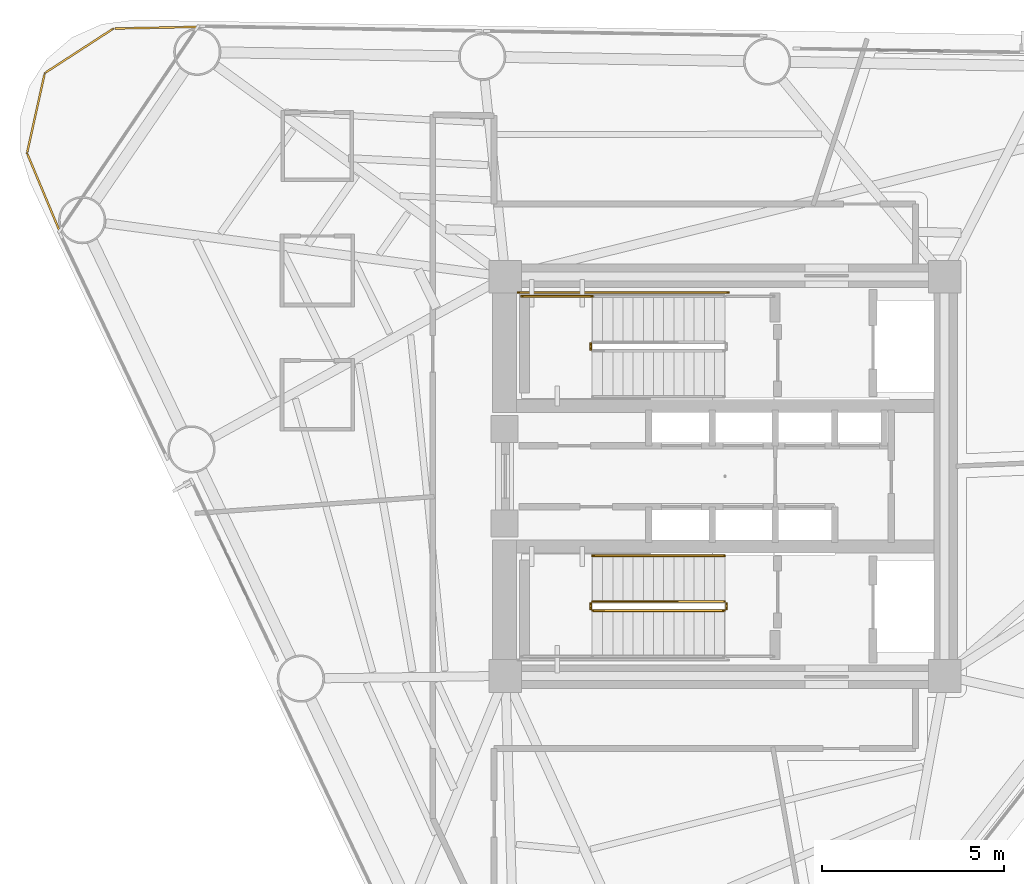
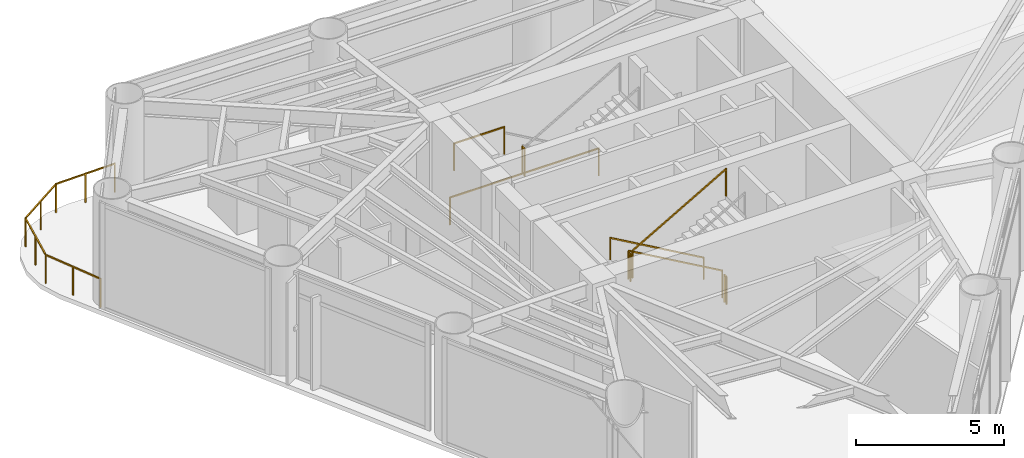
# One storey, part 9 of 11: 9 railings.
"""IFC4 building model written with IfcOpenShell, lengths in metres."""

from ifc_helpers import new_model, si_unit, direction, frame, origin, origin_2d, place, context, subcontext, project, spatial, rectangle, extrude, material, type_object, element, save


model = new_model("IFC4")

# Units and contexts
model_context = context("Model", 3, precision=1e-05, world=origin(), true_north=direction((0.0, 1.0)))
body_context = subcontext(model_context, "Body", "Model", "MODEL_VIEW")
ifc_project = project(units=[si_unit("LENGTHUNIT", "METRE"), si_unit("AREAUNIT", "SQUARE_METRE"), si_unit("VOLUMEUNIT", "CUBIC_METRE"), si_unit("PLANEANGLEUNIT", "RADIAN"), si_unit("MASSUNIT", "GRAM", prefix="KILO")], contexts=[model_context])

# Site, building, storey
site_placement = place(None, origin())
site = spatial("IfcSite", under=ifc_project, at=site_placement, CompositionType="ELEMENT")
building_placement = place(site_placement, origin())
building = spatial("IfcBuilding", under=site, at=building_placement, Name="Yunling Apex Tower", CompositionType="ELEMENT")
storey_placement = place(building_placement, frame((0.0, 0.0, 125.0)))
storey = spatial("IfcBuildingStorey", under=building, at=storey_placement, Name="L30", CompositionType="ELEMENT", Elevation=125.0)

# Railings
ifc_material_1 = material(Name="Bronze anodised aluminium", Category="aluminium")
railing_type_1 = type_object("IfcRailingType", Name="RL-BAL-1200", PredefinedType="BALUSTRADE", material=ifc_material_1)
railing_1_placement = place(storey_placement, frame((-18.331298828125, 6.7578125, 0.0)))
element("IfcRailing", 1, at=railing_1_placement, inside=storey, type_object=railing_type_1, Name="RL-CRNSILL-L30-2", PredefinedType="BALUSTRADE", context=body_context, shape_type="SweptSolid", body=[
    extrude(rectangle(XDim=0.0439453125, YDim=0.0439453125, at=origin_2d()), origin(), (0.0, 0.0, 1.0), 1.199951171875),
    extrude(rectangle(XDim=0.0439453125, YDim=0.0439453125, at=origin_2d()), frame((-0.896240234375, 2.142578125, 0.0)), (0.0, 0.0, 1.0), 1.199951171875),
    extrude(rectangle(XDim=0.050048828125, YDim=0.050048828125, at=origin_2d()), frame((-0.014892578125, 0.035400390625, 1.1748046875), z_axis=(-0.385898856138, 0.92254109547, 0.0), x_axis=(-0.92254109547, -0.385898856138, 0.0)), (0.0, 0.0, 1.0), 2.245849609375),
    extrude(rectangle(XDim=0.0439453125, YDim=0.0439453125, at=origin_2d()), frame((-0.4482421875, 1.0712890625, 0.0)), (0.0, 0.0, 1.0), 1.14599609375),
    extrude(rectangle(XDim=0.0439453125, YDim=0.0439453125, at=origin_2d()), frame((-0.407958984375, 4.349609375, 0.0)), (0.0, 0.0, 1.0), 1.199951171875),
    extrude(rectangle(XDim=0.050048828125, YDim=0.050048828125, at=origin_2d()), frame((-0.887939453125, 2.179931640625, 1.1748046875), z_axis=(0.216015473483, 0.976389940145, 0.0), x_axis=(-0.976389940145, 0.216015473483, 0.0)), (0.0, 0.0, 1.0), 2.183837890625),
    extrude(rectangle(XDim=0.0439453125, YDim=0.0439453125, at=origin_2d()), frame((-0.652099609375, 3.24609375, 0.0)), (0.0, 0.0, 1.0), 1.14599609375),
    extrude(rectangle(XDim=0.0439453125, YDim=0.0439453125, at=origin_2d()), frame((1.482666015625, 5.574951171875, 0.0)), (0.0, 0.0, 1.0), 1.199951171875),
    extrude(rectangle(XDim=0.050048828125, YDim=0.050048828125, at=origin_2d()), frame((-0.375732421875, 4.370361328125, 1.1748046875), z_axis=(0.83916580884, 0.543875670786, 0.0), x_axis=(-0.543875670786, 0.83916580884, 0.0)), (0.0, 0.0, 1.0), 2.17626953125),
    extrude(rectangle(XDim=0.0439453125, YDim=0.0439453125, at=origin_2d()), frame((0.537353515625, 4.96240234375, 0.0)), (0.0, 0.0, 1.0), 1.14599609375),
    extrude(rectangle(XDim=0.0439453125, YDim=0.0439453125, at=origin_2d()), frame((3.805419921875, 5.6220703125, 0.0)), (0.0, 0.0, 1.0), 1.199951171875),
    extrude(rectangle(XDim=0.050048828125, YDim=0.050048828125, at=origin_2d()), frame((1.52099609375, 5.57568359375, 1.1748046875), z_axis=(0.999794304726, 0.020281721759, 0.0), x_axis=(-0.020281721759, 0.999794304726, 0.0)), (0.0, 0.0, 1.0), 2.24658203125),
    extrude(rectangle(XDim=0.0439453125, YDim=0.0439453125, at=origin_2d()), frame((2.64404296875, 5.5986328125, 0.0)), (0.0, 0.0, 1.0), 1.14599609375),
])
ifc_material_2 = material(Name="Steel Q355B", Category="steel")
railing_type_2 = type_object("IfcRailingType", Name="RL-GRD-1150", PredefinedType="GUARDRAIL", material=ifc_material_2)
railing_2_placement = place(storey_placement, frame((-3.699951171875, 3.64990234375, 2.25)))
element("IfcRailing", 2, at=railing_2_placement, inside=storey, type_object=railing_type_2, Name="L30 ST-1 stair guard 2", PredefinedType="GUARDRAIL", context=body_context, shape_type="SweptSolid", body=[
    extrude(rectangle(XDim=0.0439453125, YDim=0.0439453125, at=origin_2d()), origin(), (0.0, 0.0, 1.0), 1.14990234375),
    extrude(rectangle(XDim=0.0439453125, YDim=0.0439453125, at=origin_2d()), frame((0.0, -0.14990234375, 0.0)), (0.0, 0.0, 1.0), 1.14990234375),
    extrude(rectangle(XDim=0.050048828125, YDim=0.050048828125, at=origin_2d()), frame((0.0, -0.038330078125, 1.125), z_axis=(0.0, -1.0, 0.0), x_axis=(1.0, 0.0, 0.0)), (0.0, 0.0, 1.0), 0.0732421875),
])
railing_3_placement = place(storey_placement, frame((-3.64990234375, 4.9599609375, 2.25)))
element("IfcRailing", 3, at=railing_3_placement, inside=storey, type_object=railing_type_2, Name="L30 ST-1 stair guard 3", PredefinedType="GUARDRAIL", context=body_context, shape_type="SweptSolid", body=[
    extrude(rectangle(XDim=0.0439453125, YDim=0.0439453125, at=origin_2d()), origin(), (0.0, 0.0, 1.0), 1.14990234375),
    extrude(rectangle(XDim=0.0439453125, YDim=0.0439453125, at=origin_2d()), frame((-1.9501953125, 0.0, 0.0)), (0.0, 0.0, 1.0), 1.14990234375),
    extrude(rectangle(XDim=0.050048828125, YDim=0.050048828125, at=origin_2d()), frame((-0.038330078125, 0.0, 1.125), z_axis=(-1.0, 0.0, 0.0), x_axis=(0.0, -1.0, 0.0)), (0.0, 0.0, 1.0), 1.87353515625),
])
railing_4_placement = place(storey_placement, frame((0.090087890625, 5.06005859375, 0.0)))
element("IfcRailing", 4, at=railing_4_placement, inside=storey, type_object=railing_type_2, Name="L30 ST-1 stair guard 7", PredefinedType="GUARDRAIL", context=body_context, shape_type="SweptSolid", body=[
    extrude(rectangle(XDim=0.0439453125, YDim=0.0439453125, at=origin_2d()), origin(), (0.0, 0.0, 1.0), 1.14990234375),
    extrude(rectangle(XDim=0.0439453125, YDim=0.0439453125, at=origin_2d()), frame((-5.7900390625, 0.0, 0.0)), (0.0, 0.0, 1.0), 1.14990234375),
    extrude(rectangle(XDim=0.050048828125, YDim=0.050048828125, at=origin_2d()), frame((-0.038330078125, 0.0, 1.125), z_axis=(-1.0, 0.0, 0.0), x_axis=(0.0, -1.0, 0.0)), (0.0, 0.0, 1.0), 5.71337890625),
])
railing_5_placement = place(storey_placement, frame((-0.010009765625, -3.449951171875, 0.16064453125)))
element("IfcRailing", 5, at=railing_5_placement, inside=storey, type_object=railing_type_2, Name="L30 ST-2 stair guard 1", PredefinedType="GUARDRAIL", context=body_context, shape_type="SweptSolid", body=[
    extrude(rectangle(XDim=0.0439453125, YDim=0.0439453125, at=origin_2d()), origin(), (0.0, 0.0, 1.0), 1.14990234375),
    extrude(rectangle(XDim=0.0439453125, YDim=0.0439453125, at=origin_2d()), frame((-3.639892578125, 0.0, 2.08935546875)), (0.0, 0.0, 1.0), 1.14990234375),
    extrude(rectangle(XDim=0.050048828125, YDim=0.050048828125, at=origin_2d()), frame((-0.033203125, 0.0, 1.14404296875), z_axis=(-0.8672749571, 0.0, 0.497829437445), x_axis=(0.0, -1.0, 0.0)), (0.0, 0.0, 1.0), 4.120361328125),
])
railing_6_placement = place(storey_placement, frame((-3.699951171875, -3.5, 2.25)))
element("IfcRailing", 6, at=railing_6_placement, inside=storey, type_object=railing_type_2, Name="L30 ST-2 stair guard 2", PredefinedType="GUARDRAIL", context=body_context, shape_type="SweptSolid", body=[
    extrude(rectangle(XDim=0.0439453125, YDim=0.0439453125, at=origin_2d()), origin(), (0.0, 0.0, 1.0), 1.14990234375),
    extrude(rectangle(XDim=0.0439453125, YDim=0.0439453125, at=origin_2d()), frame((0.0, -0.14990234375, 0.0)), (0.0, 0.0, 1.0), 1.14990234375),
    extrude(rectangle(XDim=0.050048828125, YDim=0.050048828125, at=origin_2d()), frame((0.0, -0.038330078125, 1.125), z_axis=(0.0, -1.0, 0.0), x_axis=(1.0, 0.0, 0.0)), (0.0, 0.0, 1.0), 0.0732421875),
])
railing_7_placement = place(storey_placement, frame((-3.64990234375, -3.699951171875, 2.41064453125)))
element("IfcRailing", 7, at=railing_7_placement, inside=storey, type_object=railing_type_2, Name="L30 ST-2 stair guard 4", PredefinedType="GUARDRAIL", context=body_context, shape_type="SweptSolid", body=[
    extrude(rectangle(XDim=0.0439453125, YDim=0.0439453125, at=origin_2d()), origin(), (0.0, 0.0, 1.0), 1.14990234375),
    extrude(rectangle(XDim=0.0439453125, YDim=0.0439453125, at=origin_2d()), frame((3.639892578125, 0.0, 2.08935546875)), (0.0, 0.0, 1.0), 1.14990234375),
    extrude(rectangle(XDim=0.050048828125, YDim=0.050048828125, at=origin_2d()), frame((0.033203125, 0.0, 1.14404296875), z_axis=(0.8672749571, 0.0, 0.497829437445), x_axis=(0.0, 1.0, 0.0)), (0.0, 0.0, 1.0), 4.120361328125),
])
railing_8_placement = place(storey_placement, frame((0.0400390625, -3.5, 0.0)))
element("IfcRailing", 8, at=railing_8_placement, inside=storey, type_object=railing_type_2, Name="L30 ST-2 stair guard 5", PredefinedType="GUARDRAIL", context=body_context, shape_type="SweptSolid", body=[
    extrude(rectangle(XDim=0.0439453125, YDim=0.0439453125, at=origin_2d()), origin(), (0.0, 0.0, 1.0), 1.14990234375),
    extrude(rectangle(XDim=0.0439453125, YDim=0.0439453125, at=origin_2d()), frame((0.0, -0.14990234375, 0.0)), (0.0, 0.0, 1.0), 1.14990234375),
    extrude(rectangle(XDim=0.050048828125, YDim=0.050048828125, at=origin_2d()), frame((0.0, -0.038330078125, 1.125), z_axis=(0.0, -1.0, 0.0), x_axis=(1.0, 0.0, 0.0)), (0.0, 0.0, 1.0), 0.0732421875),
])
ifc_material_3 = material(Name="Silver anodised aluminium", Category="aluminium")
railing_type_3 = type_object("IfcRailingType", Name="RL-HND-900", PredefinedType="HANDRAIL", material=ifc_material_3)
railing_9_placement = place(storey_placement, frame((-0.010009765625, -2.18994140625, 0.16064453125)))
element("IfcRailing", 9, at=railing_9_placement, inside=storey, type_object=railing_type_3, Name="L30 ST-2 stair handrail 1", PredefinedType="HANDRAIL", context=body_context, shape_type="SweptSolid", body=[
    extrude(rectangle(XDim=0.0439453125, YDim=0.0439453125, at=origin_2d()), origin(), (0.0, 0.0, 1.0), 0.919921875),
    extrude(rectangle(XDim=0.0439453125, YDim=0.0439453125, at=origin_2d()), frame((-3.639892578125, 0.0, 2.08935546875)), (0.0, 0.0, 1.0), 0.919921875),
    extrude(rectangle(XDim=0.050048828125, YDim=0.050048828125, at=origin_2d()), frame((-0.033203125, 0.0, 0.9140625), z_axis=(-0.8672749571, 0.0, 0.497829437445), x_axis=(0.0, -1.0, 0.0)), (0.0, 0.0, 1.0), 4.120361328125),
])

save(model, "model.ifc")
